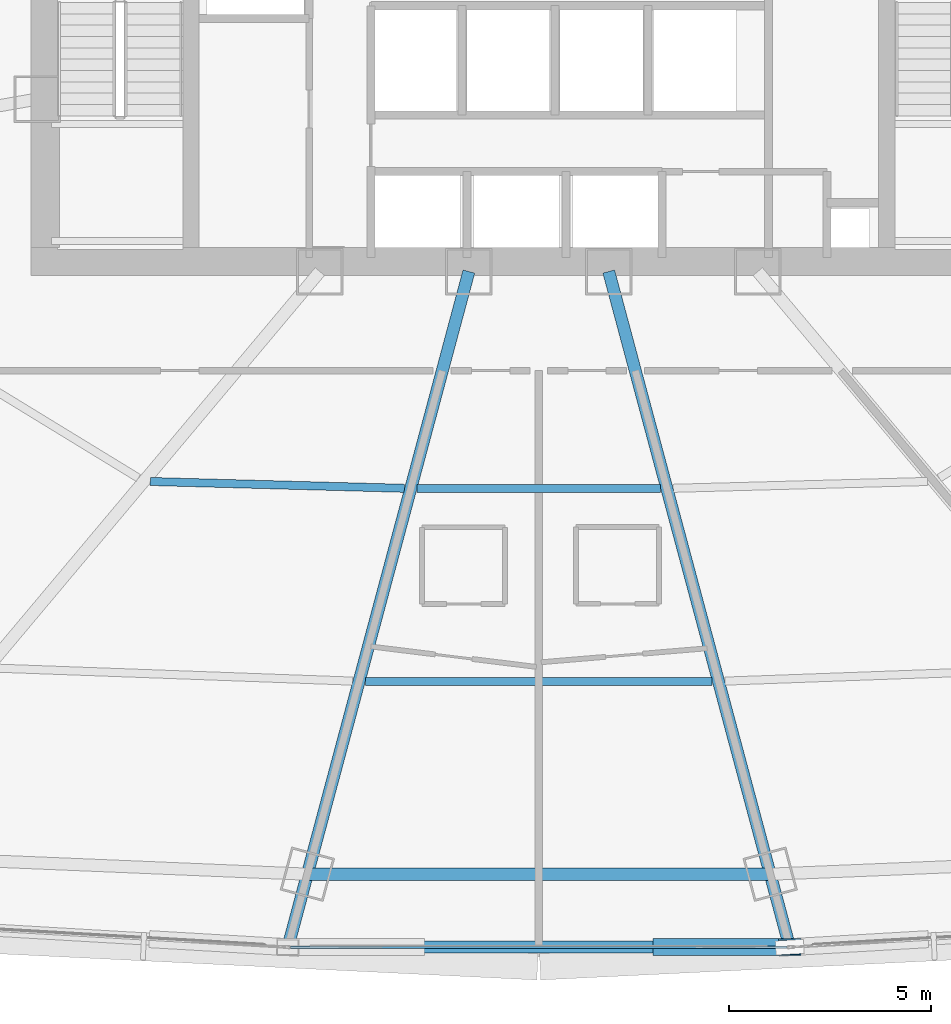
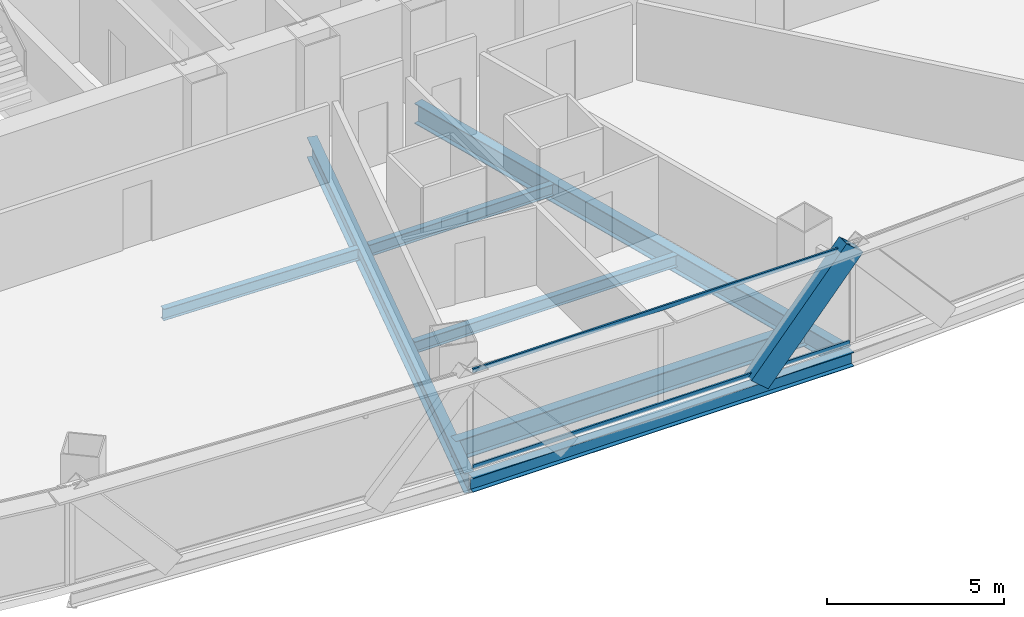
# One storey, part 9 of 38: 7 beams, 3 members, 1 element without a shape of its own.
"""IFC4 building model written with IfcOpenShell, lengths in metres."""

from ifc_helpers import new_model, si_unit, direction, frame, origin, origin_2d, place, context, subcontext, project, spatial, hollow_rectangle, i_section, extrude, source, transform, mapped, material, layer, layer_set, material_profile, profile_set, type_object, element, aggregate, save


model = new_model("IFC4")

# Units and contexts
model_context = context("Model", 3, precision=1e-05, world=origin(), true_north=direction((0.0, 1.0)))
body_context = subcontext(model_context, "Body", "Model", "MODEL_VIEW")
ifc_project = project(units=[si_unit("LENGTHUNIT", "METRE"), si_unit("AREAUNIT", "SQUARE_METRE"), si_unit("VOLUMEUNIT", "CUBIC_METRE"), si_unit("PLANEANGLEUNIT", "RADIAN"), si_unit("MASSUNIT", "GRAM", prefix="KILO"), si_unit("THERMODYNAMICTEMPERATUREUNIT", "KELVIN"), si_unit("POWERUNIT", "WATT")], contexts=[model_context])

# Site, building, storey
site_placement = place(None, origin())
site = spatial("IfcSite", under=ifc_project, at=site_placement, CompositionType="ELEMENT")
building_placement = place(site_placement, origin())
building = spatial("IfcBuilding", under=site, at=building_placement, Name="Yunzhuo Pagoda Commons", CompositionType="ELEMENT")
storey_placement = place(building_placement, frame((0.0, 0.0, 30.39990234375)))
storey = spatial("IfcBuildingStorey", under=building, at=storey_placement, Name="L07", CompositionType="ELEMENT", Elevation=30.39990234375)

# Beams
ifc_material_1 = material(Name="Structural steel Q355B", Category="steel")
ifc_material_profile_1 = material_profile(ifc_material_1, i_section(OverallWidth=0.300048828125, OverallDepth=0.699951171875, WebThickness=0.012939453125, FlangeThickness=0.02392578125, at=origin_2d()), Name="Structural steel Q355B")
ifc_profile_set_1 = profile_set([ifc_material_profile_1], Name="Structural steel Q355B")
beam_type_1 = type_object("IfcBeamType", Name="B-RG1 Beam HN 700x300x13x24", PredefinedType="BEAM", material=ifc_profile_set_1)
shared_shape_1 = source(origin(), body_context, "Body", "SweptSolid", [
    extrude(i_section(OverallWidth=0.300048828125, OverallDepth=0.699951171875, WebThickness=0.012939453125, FlangeThickness=0.02392578125, at=origin_2d()), origin(), (0.0, 0.0, 1.0), 11.4404296875),
])
beam_1_placement = place(storey_placement, frame((42.27978515625, 12.35205078125, -0.60986328125), z_axis=(1.0, 0.0, 0.0), x_axis=(0.0, 1.0, 0.0)))
element("IfcBeam", 1, at=beam_1_placement, inside=storey, type_object=beam_type_1, Name="L07 column-ring beam 2", PredefinedType="BEAM", context=body_context, shape_type="MappedRepresentation", body=[
    mapped(shared_shape_1, transform((0.0, 0.0, 0.0), scale=1.0)),
])
shared_shape_2 = source(origin(), body_context, "Body", "SweptSolid", [
    extrude(i_section(OverallWidth=0.300048828125, OverallDepth=0.699951171875, WebThickness=0.012939453125, FlangeThickness=0.02392578125, at=origin_2d()), origin(), (0.0, 0.0, 1.0), 17.135986328125),
])
beam_2_placement = place(storey_placement, frame((41.836669921875, 10.697998046875, -0.60986328125), z_axis=(0.258830325444, 0.96592280366, 0.0), x_axis=(-0.96592280366, 0.258830325444, 0.0)))
element("IfcBeam", 2, at=beam_2_placement, inside=storey, type_object=beam_type_1, Name="L07 radial floor girder F1C2", PredefinedType="BEAM", context=body_context, shape_type="MappedRepresentation", body=[
    mapped(shared_shape_2, transform((0.0, 0.0, 0.0), scale=1.0)),
])
shared_shape_3 = source(origin(), body_context, "Body", "SweptSolid", [
    extrude(i_section(OverallWidth=0.300048828125, OverallDepth=0.699951171875, WebThickness=0.012939453125, FlangeThickness=0.02392578125, at=origin_2d()), origin(), (0.0, 0.0, 1.0), 17.1357421875),
])
beam_3_placement = place(storey_placement, frame((54.163330078125, 10.697998046875, -0.60986328125), z_axis=(-0.25880373953, 0.965929927275, 0.0), x_axis=(-0.965929927275, -0.25880373953, 0.0)))
element("IfcBeam", 3, at=beam_3_placement, inside=storey, type_object=beam_type_1, Name="L07 radial floor girder F1C3", PredefinedType="BEAM", context=body_context, shape_type="MappedRepresentation", body=[
    mapped(shared_shape_3, transform((0.0, 0.0, 0.0), scale=1.0)),
])
ifc_material_profile_2 = material_profile(ifc_material_1, i_section(OverallWidth=0.300048828125, OverallDepth=0.488037109375, WebThickness=0.010986328125, FlangeThickness=0.01806640625, at=origin_2d()), Name="Structural steel Q355B")
ifc_profile_set_2 = profile_set([ifc_material_profile_2], Name="Structural steel Q355B")
beam_type_2 = type_object("IfcBeamType", Name="B-SP1 Beam HM 488x300x11x18", PredefinedType="BEAM", material=ifc_profile_set_2)
shared_shape_4 = source(origin(), body_context, "Body", "SweptSolid", [
    extrude(i_section(OverallWidth=0.300048828125, OverallDepth=0.488037109375, WebThickness=0.010986328125, FlangeThickness=0.01806640625, at=origin_2d()), origin(), (0.0, 0.0, 1.0), 12.4072265625),
])
beam_4_placement = place(storey_placement, frame((41.79638671875, 10.548095703125, -0.50390625), z_axis=(1.0, 0.0, 0.0), x_axis=(0.0, 1.0, 0.0)))
element("IfcBeam", 4, at=beam_4_placement, inside=storey, type_object=beam_type_2, Name="L07 facade edge spandrel beam F1.2", PredefinedType="BEAM", context=body_context, shape_type="MappedRepresentation", body=[
    mapped(shared_shape_4, transform((0.0, 0.0, 0.0), scale=1.0)),
])
ifc_material_profile_3 = material_profile(ifc_material_1, i_section(OverallWidth=0.199951171875, OverallDepth=0.39990234375, WebThickness=0.008056640625, FlangeThickness=0.012939453125, at=origin_2d()), Name="Structural steel Q355B")
ifc_profile_set_3 = profile_set([ifc_material_profile_3], Name="Structural steel Q355B")
beam_type_3 = type_object("IfcBeamType", Name="B-JS1 Joist HN 400x200x8x13", PredefinedType="JOIST", material=ifc_profile_set_3)
shared_shape_5 = source(origin(), body_context, "Body", "SweptSolid", [
    extrude(i_section(OverallWidth=0.199951171875, OverallDepth=0.39990234375, WebThickness=0.008056640625, FlangeThickness=0.012939453125, at=origin_2d()), origin(), (0.0, 0.0, 1.0), 6.28271484375),
])
beam_5_placement = place(storey_placement, frame((38.395263671875, 22.06005859375, -0.4599609375), z_axis=(0.999638393847, -0.026890175648, 0.0), x_axis=(0.026890175648, 0.999638393847, 0.0)))
element("IfcBeam", 5, at=beam_5_placement, inside=storey, type_object=beam_type_3, Name="L07 composite ring joist 1.1", PredefinedType="JOIST", context=body_context, shape_type="MappedRepresentation", body=[
    mapped(shared_shape_5, transform((0.0, 0.0, 0.0), scale=1.0)),
])
shared_shape_6 = source(origin(), body_context, "Body", "SweptSolid", [
    extrude(i_section(OverallWidth=0.199951171875, OverallDepth=0.39990234375, WebThickness=0.008056640625, FlangeThickness=0.012939453125, at=origin_2d()), origin(), (0.0, 0.0, 1.0), 6.0126953125),
])
beam_6_placement = place(storey_placement, frame((44.99365234375, 21.88671875, -0.4599609375), z_axis=(1.0, 0.0, 0.0), x_axis=(0.0, 1.0, 0.0)))
element("IfcBeam", 6, at=beam_6_placement, inside=storey, type_object=beam_type_3, Name="L07 composite ring joist 1.2", PredefinedType="JOIST", context=body_context, shape_type="MappedRepresentation", body=[
    mapped(shared_shape_6, transform((0.0, 0.0, 0.0), scale=1.0)),
])
shared_shape_7 = source(origin(), body_context, "Body", "SweptSolid", [
    extrude(i_section(OverallWidth=0.199951171875, OverallDepth=0.39990234375, WebThickness=0.008056640625, FlangeThickness=0.012939453125, at=origin_2d()), origin(), (0.0, 0.0, 1.0), 8.5673828125),
])
beam_7_placement = place(storey_placement, frame((43.71630859375, 17.119384765625, -0.4599609375), z_axis=(1.0, 0.0, 0.0), x_axis=(0.0, 1.0, 0.0)))
element("IfcBeam", 7, at=beam_7_placement, inside=storey, type_object=beam_type_3, Name="L07 composite ring joist 2.2", PredefinedType="JOIST", context=body_context, shape_type="MappedRepresentation", body=[
    mapped(shared_shape_7, transform((0.0, 0.0, 0.0), scale=1.0)),
])

# Member
ifc_material_2 = material(Name="Structural steel Q420B", Category="steel")
ifc_material_profile_4 = material_profile(ifc_material_2, hollow_rectangle(XDim=0.419921875, YDim=0.719970703125, WallThickness=0.028076171875, at=origin_2d()), Name="Structural steel Q420B")
ifc_profile_set_4 = profile_set([ifc_material_profile_4], Name="Structural steel Q420B")
member_type_1 = type_object("IfcMemberType", Name="M-DL1 Brace BOX 720x420x28", PredefinedType="BRACE", material=ifc_profile_set_4)
shared_shape_8 = source(origin(), body_context, "Body", "SweptSolid", [
    extrude(hollow_rectangle(XDim=0.419921875, YDim=0.719970703125, WallThickness=0.028076171875, at=origin_2d()), origin(), (0.0, 0.0, 1.0), 4.77490234375),
])
member_1_placement = place(storey_placement, frame((51.101806640625, 10.548095703125, -0.260009765625), z_axis=(0.649590539187, 0.0, 0.760284243818), x_axis=(0.0, 1.0, 0.0)))
element("IfcMember", 8, at=member_1_placement, inside=storey, type_object=member_type_1, Name="L07 facade diamond brace F1.2R", PredefinedType="BRACE", context=body_context, shape_type="MappedRepresentation", body=[
    mapped(shared_shape_8, transform((0.0, 0.0, 0.0), scale=1.0)),
])

# Curtain wall, members
ifc_material_3 = material(Name="Anodized aluminium 6063-T6", Category="aluminium")
ifc_layer = layer(ifc_material_3, 0.1650390625)
ifc_layer_set = layer_set([ifc_layer], Name="Anodized aluminium 6063-T6")
curtain_wall_type = type_object("IfcCurtainWallType", Name="CW-LOW Low-Zone Ribbon Curtain Wall", PredefinedType="NOTDEFINED", material=ifc_layer_set)
curtain_wall_placement = place(storey_placement, origin())
curtain_wall = element("IfcCurtainWall", 9, at=curtain_wall_placement, inside=storey, type_object=curtain_wall_type, Name="L07 curtain wall CW-L07-F1B3", PredefinedType="NOTDEFINED")
ifc_material_profile_5 = material_profile(ifc_material_3, hollow_rectangle(XDim=0.06005859375, YDim=0.139892578125, WallThickness=0.00341796875, at=origin_2d()), Name="Anodized aluminium 6063-T6")
ifc_profile_set_5 = profile_set([ifc_material_profile_5], Name="Anodized aluminium 6063-T6")
member_type_2 = type_object("IfcMemberType", Name="CW-LOW-T Transom RHS 140x60x3.5", PredefinedType="USERDEFINED", material=ifc_profile_set_5)
shared_shape_9 = source(origin(), body_context, "Body", "SweptSolid", [
    extrude(hollow_rectangle(XDim=0.06005859375, YDim=0.139892578125, WallThickness=0.00341796875, at=origin_2d()), origin(), (0.0, 0.0, 1.0), 12.27685546875),
])
member_2_placement = place(storey_placement, frame((41.861572265625, 10.548095703125, 0.030029296875), z_axis=(1.0, 0.0, 0.0), x_axis=(0.0, 1.0, 0.0)))
member_2 = element("IfcMember", 10, at=member_2_placement, type_object=member_type_2, Name="CW transom 1.1", ObjectType="TRANSOM", PredefinedType="USERDEFINED", context=body_context, shape_type="MappedRepresentation", body=[
    mapped(shared_shape_9, transform((0.0, 0.0, 0.0), scale=1.0)),
])
member_3_placement = place(storey_placement, frame((41.861572265625, 10.548095703125, 3.340087890625), z_axis=(1.0, 0.0, 0.0), x_axis=(0.0, 1.0, 0.0)))
member_3 = element("IfcMember", 11, at=member_3_placement, type_object=member_type_2, Name="CW transom 1.2", ObjectType="TRANSOM", PredefinedType="USERDEFINED", context=body_context, shape_type="MappedRepresentation", body=[
    mapped(shared_shape_9, transform((0.0, 0.0, 0.0), scale=1.0)),
])
aggregate(curtain_wall, [member_2, member_3])

save(model, "model.ifc")
